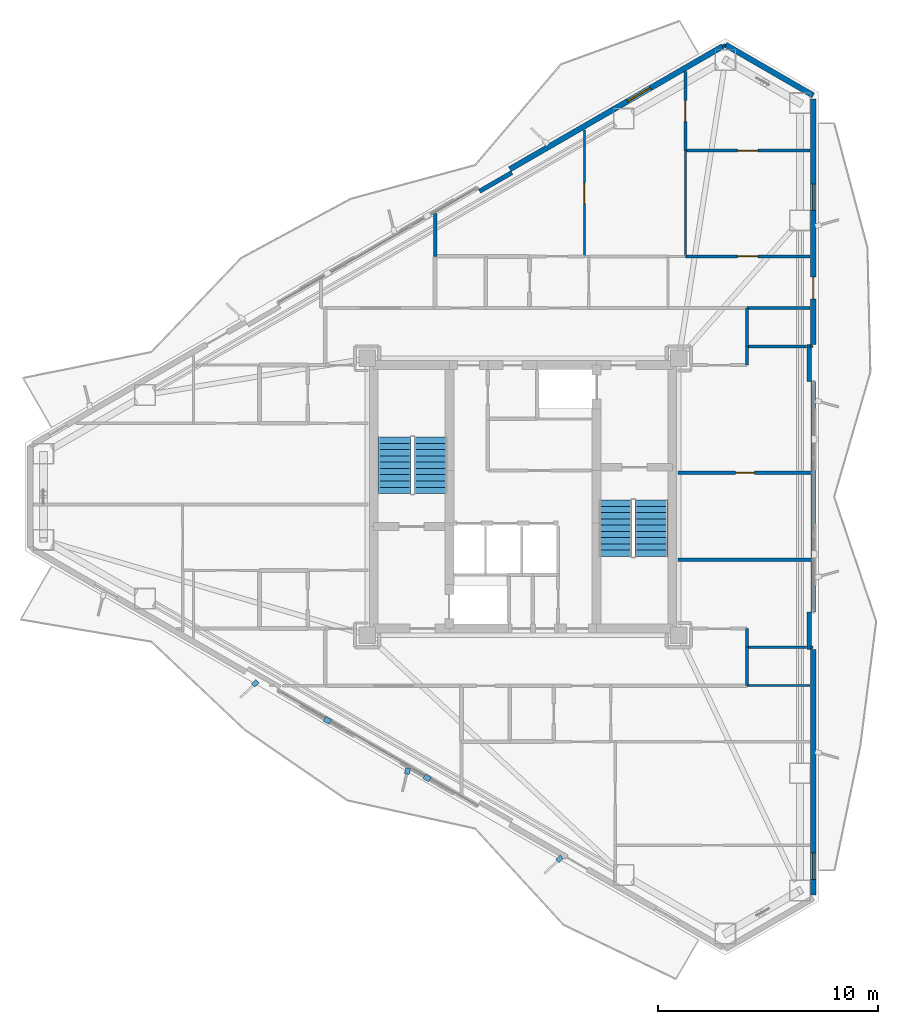
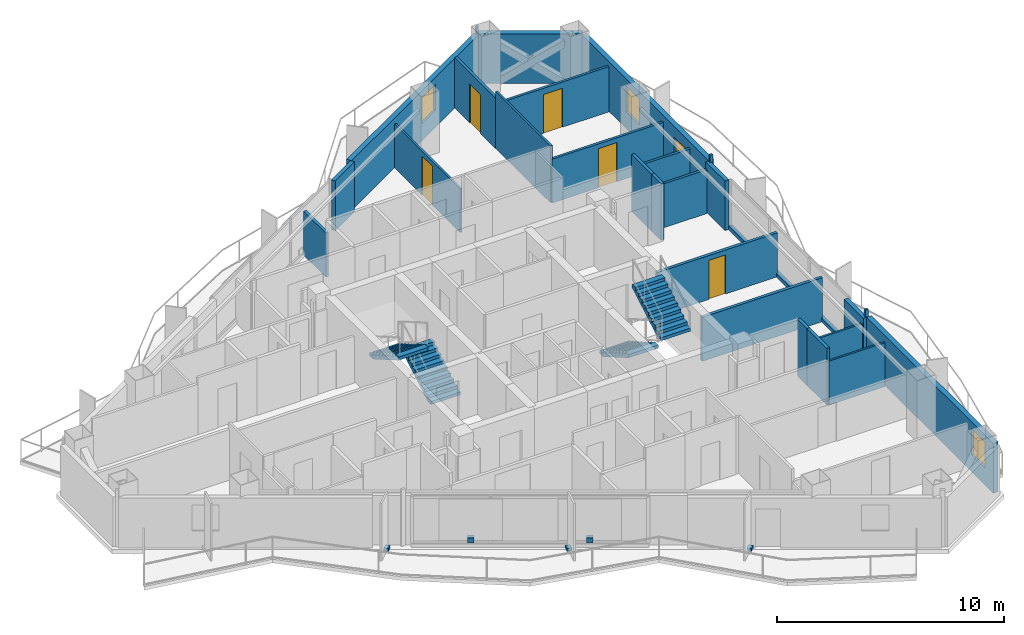
# One storey, part 16 of 19: 27 walls, 6 doors, 5 discrete accessories, 4 stair flights, 3 windows, 9 openings, 2 elements without a shape of their own.
"""IFC4 building model written with IfcOpenShell, lengths in metres."""

from ifc_helpers import new_model, si_unit, direction, frame, frame_2d, origin, origin_2d, place, context, subcontext, project, spatial, polyline, rectangle, outline, extrude, material, layer, layer_set, type_object, element, fill, aggregate, save


model = new_model("IFC4")

# Units and contexts
model_context = context("Model", 3, precision=1e-05, world=origin(), true_north=direction((0.0, 1.0)))
body_context = subcontext(model_context, "Body", "Model", "MODEL_VIEW")
ifc_project = project(units=[si_unit("LENGTHUNIT", "METRE"), si_unit("AREAUNIT", "SQUARE_METRE"), si_unit("VOLUMEUNIT", "CUBIC_METRE"), si_unit("PLANEANGLEUNIT", "RADIAN"), si_unit("MASSUNIT", "GRAM", prefix="KILO")], contexts=[model_context])

# Site, building, storey
site_placement = place(None, origin())
site = spatial("IfcSite", under=ifc_project, at=site_placement, CompositionType="ELEMENT")
building_placement = place(site_placement, origin())
building = spatial("IfcBuilding", under=site, at=building_placement, Name="Mersakhor Tower and Convention Hall", CompositionType="ELEMENT")
storey_placement = place(building_placement, frame((0.0, 0.0, 127.800048828125)))
storey = spatial("IfcBuildingStorey", under=building, at=storey_placement, Name="L35", CompositionType="ELEMENT", Elevation=127.800048828125)

# Wall
ifc_material_1 = material(Name="Precast concrete C40/50", Category="concrete")
ifc_layer_1 = layer(ifc_material_1, 0.25)
ifc_layer_set_1 = layer_set([ifc_layer_1], Name="Precast concrete C40/50")
wall_type_1 = type_object("IfcWallType", Name="WL-EXT-250", PredefinedType="SOLIDWALL", material=ifc_layer_set_1)
wall_1_placement = place(storey_placement, frame((38.220458984375, 47.337646484375, 0.0), z_axis=(0.0, 0.0, 1.0), x_axis=(0.866035021055, -0.499983342029, 0.0)))
element("IfcWall", 1, at=wall_1_placement, inside=storey, type_object=wall_type_1, Name="L35 Chamfer Braced Spandrel Wall C1", PredefinedType="SOLIDWALL", context=body_context, shape_type="SweptSolid", body=[
    extrude(rectangle(XDim=4.617431640625, YDim=0.25, at=frame_2d((2.30859375, 0.0))), origin(), (0.0, 0.0, 1.0), 2.679931640625),
])

# Wall, opening, window
wall_2_placement = place(storey_placement, frame((28.4033203125, 41.669677734375, 0.0), z_axis=(0.0, 0.0, 1.0), x_axis=(0.86602239209, 0.500005216371, 0.0)))
wall_2 = element("IfcWall", 2, at=wall_2_placement, inside=storey, type_object=wall_type_1, Name="L35 Exterior Facade Wall F1-B3", PredefinedType="SOLIDWALL", context=body_context, shape_type="SweptSolid", body=[
    extrude(rectangle(XDim=11.18603515625, YDim=0.25, at=frame_2d((5.593017578125, 0.0))), origin(), (0.0, 0.0, 1.0), 2.679931640625),
])
opening_1_placement = place(wall_2_placement, frame((6.198974609375, 0.0, 0.89990234375)))
opening_1 = element("IfcOpeningElement", 3, at=opening_1_placement, cuts=wall_2, Name="Opening W-01", PredefinedType="OPENING", context=body_context, shape_type="SweptSolid", body=[
    extrude(rectangle(XDim=1.199951171875, YDim=1.39990234375, at=frame_2d((0.60009765625, 0.699951171875))), frame((0.0, 0.135009765625, 0.0), z_axis=(0.0, -1.0, 0.0), x_axis=(1.0, 0.0, 0.0)), (0.0, 0.0, 1.0), 0.27001953125),
])
ifc_material_2 = material(Name="Dark solar low-E glazed aluminium window", Category="aluminium")
window_type = type_object("IfcWindowType", Name="WN-RES-120x150", PartitioningType="SINGLE_PANEL", PredefinedType="WINDOW", material=ifc_material_2)
window_1_placement = place(opening_1_placement, origin())
window_1 = element("IfcWindow", 4, at=window_1_placement, inside=storey, type_object=window_type, Name="L35 Bedroom Facade Window F1-B3-1", OverallHeight=1.39990234375, OverallWidth=1.199951171875, PartitioningType="SINGLE_PANEL", PredefinedType="WINDOW", context=body_context, shape_type="SweptSolid", body=[
    extrude(rectangle(XDim=1.199951171875, YDim=1.39990234375, at=frame_2d((0.60009765625, 0.699951171875))), frame((0.0, 0.030029296875, 0.0), z_axis=(0.0, -1.0, 0.0), x_axis=(1.0, 0.0, 0.0)), (0.0, 0.0, 1.0), 0.06005859375),
])
fill(opening_1, window_1)

# Wall, openings, door, window
wall_3_placement = place(storey_placement, frame((42.21923828125, 44.87890625, 0.0), z_axis=(0.0, 0.0, 1.0), x_axis=(0.0, -1.0, 0.0)))
wall_3 = element("IfcWall", 5, at=wall_3_placement, inside=storey, type_object=wall_type_1, Name="L35 Exterior Facade Wall F2-B1", PredefinedType="SOLIDWALL", context=body_context, shape_type="SweptSolid", body=[
    extrude(rectangle(XDim=11.185791015625, YDim=0.25, at=frame_2d((5.5927734375, 0.0))), origin(), (0.0, 0.0, 1.0), 2.679931640625),
])
opening_2_placement = place(wall_3_placement, frame((8.10888671875, 0.0, 0.0)))
opening_2 = element("IfcOpeningElement", 6, at=opening_2_placement, cuts=wall_3, Name="Opening BD-01", PredefinedType="OPENING", context=body_context, shape_type="SweptSolid", body=[
    extrude(rectangle(XDim=1.0, YDim=2.10009765625, at=frame_2d((0.5, 1.050048828125))), frame((0.0, 0.135009765625, 0.0), z_axis=(0.0, -1.0, 0.0), x_axis=(1.0, 0.0, 0.0)), (0.0, 0.0, 1.0), 0.27001953125),
])
opening_3_placement = place(wall_3_placement, frame((3.886962890625, 0.0, 0.89990234375)))
opening_3 = element("IfcOpeningElement", 7, at=opening_3_placement, cuts=wall_3, Name="Opening W-01", PredefinedType="OPENING", context=body_context, shape_type="SweptSolid", body=[
    extrude(rectangle(XDim=1.199951171875, YDim=1.39990234375, at=frame_2d((0.60009765625, 0.699951171875))), frame((0.0, 0.135009765625, 0.0), z_axis=(0.0, -1.0, 0.0), x_axis=(1.0, 0.0, 0.0)), (0.0, 0.0, 1.0), 0.27001953125),
])
ifc_material_3 = material(Name="Thermally broken dark aluminium and safety glass", Category="aluminium")
door_type_1 = type_object("IfcDoorType", Name="DR-BAL-100x210", OperationType="NOTDEFINED", PredefinedType="DOOR", material=ifc_material_3)
door_1_placement = place(opening_2_placement, origin())
door_1 = element("IfcDoor", 8, at=door_1_placement, inside=storey, type_object=door_type_1, Name="L35 Balcony Terrace Door F2-B1", OperationType="SINGLE_SWING_LEFT", OverallHeight=2.10009765625, OverallWidth=1.0, PredefinedType="DOOR", context=body_context, shape_type="SweptSolid", body=[
    extrude(rectangle(XDim=1.0, YDim=2.10009765625, at=frame_2d((0.5, 1.050048828125))), frame((0.0, 0.02490234375, 0.0), z_axis=(0.0, -1.0, 0.0), x_axis=(1.0, 0.0, 0.0)), (0.0, 0.0, 1.0), 0.050048828125),
])
fill(opening_2, door_1)
window_2_placement = place(opening_3_placement, origin())
window_2 = element("IfcWindow", 9, at=window_2_placement, inside=storey, type_object=window_type, Name="L35 Bedroom Facade Window F2-B1-1", OverallHeight=1.39990234375, OverallWidth=1.199951171875, PartitioningType="SINGLE_PANEL", PredefinedType="WINDOW", context=body_context, shape_type="SweptSolid", body=[
    extrude(rectangle(XDim=1.199951171875, YDim=1.39990234375, at=frame_2d((0.60009765625, 0.699951171875))), frame((0.0, 0.030029296875, 0.0), z_axis=(0.0, -1.0, 0.0), x_axis=(1.0, 0.0, 0.0)), (0.0, 0.0, 1.0), 0.06005859375),
])
fill(opening_3, window_2)

# Wall, opening, window
wall_4_placement = place(storey_placement, frame((42.21923828125, 19.806884765625, 0.0), z_axis=(0.0, 0.0, 1.0), x_axis=(0.0, -1.0, 0.0)))
wall_4 = element("IfcWall", 10, at=wall_4_placement, inside=storey, type_object=wall_type_1, Name="L35 Exterior Facade Wall F2-B3", PredefinedType="SOLIDWALL", context=body_context, shape_type="SweptSolid", body=[
    extrude(rectangle(XDim=11.185791015625, YDim=0.25, at=frame_2d((5.5927734375, 0.0))), origin(), (0.0, 0.0, 1.0), 2.679931640625),
])
opening_4_placement = place(wall_4_placement, frame((9.277099609375, 0.0, 0.89990234375)))
opening_4 = element("IfcOpeningElement", 11, at=opening_4_placement, cuts=wall_4, Name="Opening W-01", PredefinedType="OPENING", context=body_context, shape_type="SweptSolid", body=[
    extrude(rectangle(XDim=1.199951171875, YDim=1.39990234375, at=frame_2d((0.60009765625, 0.699951171875))), frame((0.0, 0.135009765625, 0.0), z_axis=(0.0, -1.0, 0.0), x_axis=(1.0, 0.0, 0.0)), (0.0, 0.0, 1.0), 0.27001953125),
])
window_3_placement = place(opening_4_placement, origin())
window_3 = element("IfcWindow", 12, at=window_3_placement, inside=storey, type_object=window_type, Name="L35 Bedroom Facade Window F2-B3-1", OverallHeight=1.39990234375, OverallWidth=1.199951171875, PartitioningType="SINGLE_PANEL", PredefinedType="WINDOW", context=body_context, shape_type="SweptSolid", body=[
    extrude(rectangle(XDim=1.199951171875, YDim=1.39990234375, at=frame_2d((0.60009765625, 0.699951171875))), frame((0.0, 0.030029296875, 0.0), z_axis=(0.0, -1.0, 0.0), x_axis=(1.0, 0.0, 0.0)), (0.0, 0.0, 1.0), 0.06005859375),
])
fill(opening_4, window_3)

# Walls
ifc_material_4 = material(Name="Precast concrete C40/50", Category="concrete")
ifc_layer_2 = layer(ifc_material_4, 0.199951171875)
ifc_layer_set_2 = layer_set([ifc_layer_2], Name="Precast concrete C40/50")
wall_type_2 = type_object("IfcWallType", Name="WL-PAR-200", PredefinedType="PARAPET", material=ifc_layer_set_2)
wall_5_placement = place(storey_placement, frame((27.02099609375, 40.663818359375, 0.0), z_axis=(0.0, 0.0, 1.0), x_axis=(0.86605165483, 0.499954529098, 0.0)))
element("IfcWall", 13, at=wall_5_placement, inside=storey, type_object=wall_type_2, Name="L35 Column Pier Cladding Wall F1-C2", PredefinedType="PARAPET", context=body_context, shape_type="SweptSolid", body=[
    extrude(rectangle(XDim=1.699951171875, YDim=0.199951171875, at=frame_2d((0.85009765625, 0.0))), origin(), (0.0, 0.0, 1.0), 2.679931640625),
])
wall_6_placement = place(storey_placement, frame((42.21923828125, 31.992919921875, 0.0), z_axis=(0.0, 0.0, 1.0), x_axis=(0.0, -1.0, 0.0)))
element("IfcWall", 14, at=wall_6_placement, inside=storey, type_object=wall_type_2, Name="L35 Curtain Wall Upstand Sill F2-B2", PredefinedType="PARAPET", context=body_context, shape_type="SweptSolid", body=[
    extrude(rectangle(XDim=10.48583984375, YDim=0.199951171875, at=frame_2d((5.242919921875, 0.0))), origin(), (0.0, 0.0, 1.0), 0.199951171875),
])
for number, where, z_axis, x_axis, name in (
    (15, (42.039306640625, 33.693115234375, 0.0), (0.0, 0.0, 1.0), (0.0, -1.0, 0.0), "L35 Column Pier Cladding Wall F2-C1"),
    (16, (42.039306640625, 21.507080078125, 0.0), (0.0, 0.0, 1.0), (0.0, -1.0, 0.0), "L35 Column Pier Cladding Wall F2-C2"),
):
    element("IfcWall", number, at=place(storey_placement, frame(where, z_axis=z_axis, x_axis=x_axis)), inside=storey, type_object=wall_type_2, Name=name, PredefinedType="PARAPET", context=body_context, shape_type="SweptSolid", body=[
        extrude(rectangle(XDim=1.7001953125, YDim=0.199951171875, at=frame_2d((0.85009765625, 0.0))), origin(), (0.0, 0.0, 1.0), 2.679931640625),
    ])
ifc_material_5 = material(Name="Lightweight gypsum partition", Category="other")
ifc_layer_3 = layer(ifc_material_5, 0.10009765625)
ifc_layer_set_3 = layer_set([ifc_layer_3], Name="Lightweight gypsum partition")
wall_type_3 = type_object("IfcWallType", Name="WL-PRT-100", PredefinedType="PARTITIONING", material=ifc_layer_set_3)
wall_7_placement = place(storey_placement, frame((39.199951171875, 18.14990234375, 0.0), z_axis=(0.0, 0.0, 1.0), x_axis=(1.0, 0.0, 0.0)))
element("IfcWall", 17, at=wall_7_placement, inside=storey, type_object=wall_type_3, Name="L35 Interior Partition Wall P-076", PredefinedType="PARTITIONING", context=body_context, shape_type="SweptSolid", body=[
    extrude(rectangle(XDim=2.870361328125, YDim=0.10009765625, at=frame_2d((1.43505859375, 0.0))), origin(), (0.0, 0.0, 1.0), 2.364990234375),
])
wall_8_placement = place(storey_placement, frame((42.07421875, 33.60009765625, 0.0), z_axis=(0.0, 0.0, 1.0), x_axis=(1.0, 0.0, 0.0)))
element("IfcWall", 18, at=wall_8_placement, inside=storey, type_object=wall_type_3, Name="L35 Interior Partition Wall P-102", PredefinedType="PARTITIONING", context=body_context, shape_type="SweptSolid", body=[
    extrude(rectangle(XDim=0.144775390625, YDim=0.10009765625, at=frame_2d((0.072265625, 0.0))), origin(), (0.0, 0.0, 1.0), 3.06005859375),
])
wall_9_placement = place(storey_placement, frame((41.915283203125, 19.89990234375, 0.0), z_axis=(0.0, 0.0, 1.0), x_axis=(-1.0, 0.0, 0.0)))
element("IfcWall", 19, at=wall_9_placement, inside=storey, type_object=wall_type_3, Name="L35 Interior Partition Wall P-108", PredefinedType="PARTITIONING", context=body_context, shape_type="SweptSolid", body=[
    extrude(rectangle(XDim=2.71533203125, YDim=0.10009765625, at=frame_2d((1.357666015625, 0.0))), origin(), (0.0, 0.0, 1.0), 2.364990234375),
])

# Wall, opening, door
wall_10_placement = place(storey_placement, frame((31.800048828125, 43.458740234375, 0.0), z_axis=(0.0, 0.0, 1.0), x_axis=(0.0, -1.0, 0.0)))
wall_10 = element("IfcWall", 20, at=wall_10_placement, inside=storey, type_object=wall_type_3, Name="L35 Interior Partition Wall P-112", PredefinedType="PARTITIONING", context=body_context, shape_type="SweptSolid", body=[
    extrude(rectangle(XDim=5.7587890625, YDim=0.10009765625, at=frame_2d((2.87939453125, 0.0))), origin(), (0.0, 0.0, 1.0), 2.364990234375),
])
opening_5_placement = place(wall_10_placement, frame((2.404296875, 0.0, 0.0)))
opening_5 = element("IfcOpeningElement", 21, at=opening_5_placement, cuts=wall_10, Name="Opening RD-01", PredefinedType="OPENING", context=body_context, shape_type="SweptSolid", body=[
    extrude(rectangle(XDim=0.949951171875, YDim=2.10009765625, at=frame_2d((0.47509765625, 1.050048828125))), frame((0.0, 0.06005859375, 0.0), z_axis=(0.0, -1.0, 0.0), x_axis=(1.0, 0.0, 0.0)), (0.0, 0.0, 1.0), 0.1201171875),
])
ifc_material_6 = material(Name="Solid-core hardwood leaf in painted steel frame", Category="steel")
door_type_2 = type_object("IfcDoorType", Name="DR-INT-RM-095x210", OperationType="NOTDEFINED", PredefinedType="DOOR", material=ifc_material_6)
door_2_placement = place(opening_5_placement, origin())
door_2 = element("IfcDoor", 22, at=door_2_placement, inside=storey, type_object=door_type_2, Name="L35 L35 Flat N1 Living and Dining Room to L35 Flat N1 Bedroom 1 Door", OperationType="SINGLE_SWING_LEFT", OverallHeight=2.10009765625, OverallWidth=0.949951171875, PredefinedType="DOOR", context=body_context, shape_type="SweptSolid", body=[
    extrude(rectangle(XDim=0.949951171875, YDim=2.10009765625, at=frame_2d((0.47509765625, 1.050048828125))), frame((0.0, 0.02490234375, 0.0), z_axis=(0.0, -1.0, 0.0), x_axis=(1.0, 0.0, 0.0)), (0.0, 0.0, 1.0), 0.050048828125),
])
fill(opening_5, door_2)

# Walls
wall_11_placement = place(storey_placement, frame((36.39990234375, 42.52001953125, 0.0), z_axis=(0.0, 0.0, 1.0), x_axis=(0.0, -1.0, 0.0)))
element("IfcWall", 23, at=wall_11_placement, inside=storey, type_object=wall_type_3, Name="L35 Interior Partition Wall P-114", PredefinedType="PARTITIONING", context=body_context, shape_type="SweptSolid", body=[
    extrude(rectangle(XDim=4.820068359375, YDim=0.10009765625, at=frame_2d((2.41015625, 0.0))), origin(), (0.0, 0.0, 1.0), 3.06005859375),
])
wall_12_placement = place(storey_placement, frame((38.090576171875, 47.2626953125, 0.0), z_axis=(0.0, 0.0, 1.0), x_axis=(0.865833797362, 0.500331725305, 0.0)))
element("IfcWall", 24, at=wall_12_placement, inside=storey, type_object=wall_type_3, Name="L35 Interior Partition Wall P-116", PredefinedType="PARTITIONING", context=body_context, shape_type="SweptSolid", body=[
    extrude(rectangle(XDim=0.150390625, YDim=0.10009765625, at=frame_2d((0.0751953125, 0.0))), origin(), (0.0, 0.0, 1.0), 3.06005859375),
])
ifc_material_7 = material(Name="Gypsum board acoustic partition", Category="other")
ifc_layer_4 = layer(ifc_material_7, 0.125)
ifc_layer_set_4 = layer_set([ifc_layer_4], Name="Gypsum board acoustic partition")
wall_type_4 = type_object("IfcWallType", Name="WL-PRT-125", PredefinedType="PARTITIONING", material=ifc_layer_set_4)
wall_13_placement = place(storey_placement, frame((39.199951171875, 33.60009765625, 0.0), z_axis=(0.0, 0.0, 1.0), x_axis=(1.0, 0.0, 0.0)))
element("IfcWall", 25, at=wall_13_placement, inside=storey, type_object=wall_type_4, Name="L35 Interior Partition Wall P-101", PredefinedType="PARTITIONING", context=body_context, shape_type="SweptSolid", body=[
    extrude(rectangle(XDim=2.71533203125, YDim=0.125, at=frame_2d((1.357666015625, 0.0))), origin(), (0.0, 0.0, 1.0), 2.364990234375),
])
wall_14_placement = place(storey_placement, frame((42.218994140625, 19.89990234375, 0.0), z_axis=(0.0, 0.0, 1.0), x_axis=(-1.0, 0.0, 0.0)))
element("IfcWall", 26, at=wall_14_placement, inside=storey, type_object=wall_type_4, Name="L35 Interior Partition Wall P-107", PredefinedType="PARTITIONING", context=body_context, shape_type="SweptSolid", body=[
    extrude(rectangle(XDim=0.144775390625, YDim=0.125, at=frame_2d((0.072265625, 0.0))), origin(), (0.0, 0.0, 1.0), 3.06005859375),
])
wall_15_placement = place(storey_placement, frame((42.0703125, 35.35009765625, 0.0), z_axis=(0.0, 0.0, 1.0), x_axis=(-1.0, 0.0, 0.0)))
element("IfcWall", 27, at=wall_15_placement, inside=storey, type_object=wall_type_4, Name="L35 Interior Partition Wall P-109", PredefinedType="PARTITIONING", context=body_context, shape_type="SweptSolid", body=[
    extrude(rectangle(XDim=2.870361328125, YDim=0.125, at=frame_2d((1.43505859375, 0.0))), origin(), (0.0, 0.0, 1.0), 2.364990234375),
])

# Wall, opening, door
wall_16_placement = place(storey_placement, frame((36.39990234375, 37.699951171875, 0.0), z_axis=(0.0, 0.0, 1.0), x_axis=(1.0, 0.0, 0.0)))
wall_16 = element("IfcWall", 28, at=wall_16_placement, inside=storey, type_object=wall_type_4, Name="L35 Interior Partition Wall P-111", PredefinedType="PARTITIONING", context=body_context, shape_type="SweptSolid", body=[
    extrude(rectangle(XDim=5.67041015625, YDim=0.125, at=frame_2d((2.835205078125, 0.0))), origin(), (0.0, 0.0, 1.0), 2.364990234375),
])
opening_6_placement = place(wall_16_placement, frame((2.360107421875, 0.0, 0.0)))
opening_6 = element("IfcOpeningElement", 29, at=opening_6_placement, cuts=wall_16, Name="Opening RD-01", PredefinedType="OPENING", context=body_context, shape_type="SweptSolid", body=[
    extrude(rectangle(XDim=0.949951171875, YDim=2.10009765625, at=frame_2d((0.47509765625, 1.050048828125))), frame((0.0, 0.072509765625, 0.0), z_axis=(0.0, -1.0, 0.0), x_axis=(1.0, 0.0, 0.0)), (0.0, 0.0, 1.0), 0.14501953125),
])
door_3_placement = place(opening_6_placement, origin())
door_3 = element("IfcDoor", 30, at=door_3_placement, inside=storey, type_object=door_type_2, Name="L35 L35 Flat N1 Study Room to L35 Flat N1 Bedroom 2 Door", OperationType="SINGLE_SWING_RIGHT", OverallHeight=2.10009765625, OverallWidth=0.949951171875, PredefinedType="DOOR", context=body_context, shape_type="SweptSolid", body=[
    extrude(rectangle(XDim=0.949951171875, YDim=2.10009765625, at=frame_2d((0.47509765625, 1.050048828125))), frame((0.0, 0.02490234375, 0.0), z_axis=(0.0, -1.0, 0.0), x_axis=(1.0, 0.0, 0.0)), (0.0, 0.0, 1.0), 0.050048828125),
])
fill(opening_6, door_3)

wall_17_placement = place(storey_placement, frame((36.39990234375, 46.114501953125, 0.0), z_axis=(0.0, 0.0, 1.0), x_axis=(0.0, -1.0, 0.0)))
wall_17 = element("IfcWall", 31, at=wall_17_placement, inside=storey, type_object=wall_type_4, Name="L35 Interior Partition Wall P-113", PredefinedType="PARTITIONING", context=body_context, shape_type="SweptSolid", body=[
    extrude(rectangle(XDim=3.594482421875, YDim=0.125, at=frame_2d((1.79736328125, 0.0))), origin(), (0.0, 0.0, 1.0), 2.724365234375),
])
opening_7_placement = place(wall_17_placement, frame((1.322265625, 0.0, 0.0)))
opening_7 = element("IfcOpeningElement", 32, at=opening_7_placement, cuts=wall_17, Name="Opening RD-01", PredefinedType="OPENING", context=body_context, shape_type="SweptSolid", body=[
    extrude(rectangle(XDim=0.949951171875, YDim=2.10009765625, at=frame_2d((0.47509765625, 1.050048828125))), frame((0.0, 0.072509765625, 0.0), z_axis=(0.0, -1.0, 0.0), x_axis=(1.0, 0.0, 0.0)), (0.0, 0.0, 1.0), 0.14501953125),
])
door_4_placement = place(opening_7_placement, origin())
door_4 = element("IfcDoor", 33, at=door_4_placement, inside=storey, type_object=door_type_2, Name="L35 L35 Flat N1 Bedroom 1 to L35 Flat N1 Study Room Door", OperationType="SINGLE_SWING_RIGHT", OverallHeight=2.10009765625, OverallWidth=0.949951171875, PredefinedType="DOOR", context=body_context, shape_type="SweptSolid", body=[
    extrude(rectangle(XDim=0.949951171875, YDim=2.10009765625, at=frame_2d((0.47509765625, 1.050048828125))), frame((0.0, 0.02490234375, 0.0), z_axis=(0.0, -1.0, 0.0), x_axis=(1.0, 0.0, 0.0)), (0.0, 0.0, 1.0), 0.050048828125),
])
fill(opening_7, door_4)

wall_18_placement = place(storey_placement, frame((36.39990234375, 42.52001953125, 0.0), z_axis=(0.0, 0.0, 1.0), x_axis=(1.0, 0.0, 0.0)))
wall_18 = element("IfcWall", 34, at=wall_18_placement, inside=storey, type_object=wall_type_4, Name="L35 Interior Partition Wall P-115", PredefinedType="PARTITIONING", context=body_context, shape_type="SweptSolid", body=[
    extrude(rectangle(XDim=5.67041015625, YDim=0.125, at=frame_2d((2.835205078125, 0.0))), origin(), (0.0, 0.0, 1.0), 2.432861328125),
])
opening_8_placement = place(wall_18_placement, frame((2.360107421875, 0.0, 0.0)))
opening_8 = element("IfcOpeningElement", 35, at=opening_8_placement, cuts=wall_18, Name="Opening RD-01", PredefinedType="OPENING", context=body_context, shape_type="SweptSolid", body=[
    extrude(rectangle(XDim=0.949951171875, YDim=2.10009765625, at=frame_2d((0.47509765625, 1.050048828125))), frame((0.0, 0.072509765625, 0.0), z_axis=(0.0, -1.0, 0.0), x_axis=(1.0, 0.0, 0.0)), (0.0, 0.0, 1.0), 0.14501953125),
])
door_5_placement = place(opening_8_placement, origin())
door_5 = element("IfcDoor", 36, at=door_5_placement, inside=storey, type_object=door_type_2, Name="L35 L35 Flat N1 Bedroom 2 to L35 Flat N1 Study Room Door", OperationType="SINGLE_SWING_LEFT", OverallHeight=2.10009765625, OverallWidth=0.949951171875, PredefinedType="DOOR", context=body_context, shape_type="SweptSolid", body=[
    extrude(rectangle(XDim=0.949951171875, YDim=2.10009765625, at=frame_2d((0.47509765625, 1.050048828125))), frame((0.0, 0.02490234375, 0.0), z_axis=(0.0, -1.0, 0.0), x_axis=(1.0, 0.0, 0.0)), (0.0, 0.0, 1.0), 0.050048828125),
])
fill(opening_8, door_5)

# Walls
ifc_material_8 = material(Name="Fire-rated gypsum board stud partition", Category="other")
ifc_layer_5 = layer(ifc_material_8, 0.14990234375)
ifc_layer_set_5 = layer_set([ifc_layer_5], Name="Fire-rated gypsum board stud partition")
wall_type_5 = type_object("IfcWallType", Name="WL-PRT-150", PredefinedType="PARTITIONING", material=ifc_layer_set_5)
wall_19_placement = place(storey_placement, frame((39.199951171875, 35.35009765625, 0.0), z_axis=(0.0, 0.0, 1.0), x_axis=(0.0, -1.0, 0.0)))
element("IfcWall", 37, at=wall_19_placement, inside=storey, type_object=wall_type_5, Name="L35 Interior Partition Wall P-028", PredefinedType="PARTITIONING", context=body_context, shape_type="SweptSolid", body=[
    extrude(rectangle(XDim=1.75, YDim=0.14990234375, at=frame_2d((0.875, 0.0))), origin(), (0.0, 0.0, 1.0), 3.06005859375),
])
for number, where, z_axis, x_axis, name in (
    (38, (39.199951171875, 33.60009765625, 0.0), (0.0, 0.0, 1.0), (0.0, -1.0, 0.0), "L35 Interior Partition Wall P-029"),
    (39, (39.199951171875, 20.75, 0.0), (0.0, 0.0, 1.0), (0.0, -1.0, 0.0), "L35 Interior Partition Wall P-038"),
):
    element("IfcWall", number, at=place(storey_placement, frame(where, z_axis=z_axis, x_axis=x_axis)), inside=storey, type_object=wall_type_5, Name=name, PredefinedType="PARTITIONING", context=body_context, shape_type="SweptSolid", body=[
        extrude(rectangle(XDim=0.85009765625, YDim=0.14990234375, at=frame_2d((0.425048828125, 0.0))), origin(), (0.0, 0.0, 1.0), 3.06005859375),
    ])
wall_20_placement = place(storey_placement, frame((39.199951171875, 19.89990234375, 0.0), z_axis=(0.0, 0.0, 1.0), x_axis=(0.0, -1.0, 0.0)))
element("IfcWall", 40, at=wall_20_placement, inside=storey, type_object=wall_type_5, Name="L35 Interior Partition Wall P-039", PredefinedType="PARTITIONING", context=body_context, shape_type="SweptSolid", body=[
    extrude(rectangle(XDim=1.75, YDim=0.14990234375, at=frame_2d((0.875, 0.0))), origin(), (0.0, 0.0, 1.0), 3.06005859375),
])
wall_21_placement = place(storey_placement, frame((25.0, 39.660888671875, 0.0), z_axis=(0.0, 0.0, 1.0), x_axis=(0.0, -1.0, 0.0)))
element("IfcWall", 41, at=wall_21_placement, inside=storey, type_object=wall_type_5, Name="L35 Interior Partition Wall P-093", PredefinedType="PARTITIONING", context=body_context, shape_type="SweptSolid", body=[
    extrude(rectangle(XDim=1.9609375, YDim=0.14990234375, at=frame_2d((0.98046875, 0.0))), origin(), (0.0, 0.0, 1.0), 2.364990234375),
])

# Wall, opening, door
wall_22_placement = place(storey_placement, frame((42.18115234375, 27.85009765625, 0.0), z_axis=(0.0, 0.0, 1.0), x_axis=(-1.0, 0.0, 0.0)))
wall_22 = element("IfcWall", 42, at=wall_22_placement, inside=storey, type_object=wall_type_5, Name="L35 Interior Partition Wall P-103", PredefinedType="PARTITIONING", context=body_context, shape_type="SweptSolid", body=[
    extrude(rectangle(XDim=6.131103515625, YDim=0.14990234375, at=frame_2d((3.0654296875, 0.0))), origin(), (0.0, 0.0, 1.0), 2.364990234375),
])
opening_9_placement = place(wall_22_placement, frame((2.640625, 0.0, 0.0)))
opening_9 = element("IfcOpeningElement", 43, at=opening_9_placement, cuts=wall_22, Name="Opening SVD-01", PredefinedType="OPENING", context=body_context, shape_type="SweptSolid", body=[
    extrude(rectangle(XDim=0.85009765625, YDim=2.10009765625, at=frame_2d((0.425048828125, 1.050048828125))), frame((0.0, 0.0849609375, 0.0), z_axis=(0.0, -1.0, 0.0), x_axis=(1.0, 0.0, 0.0)), (0.0, 0.0, 1.0), 0.169921875),
])
ifc_material_9 = material(Name="Fire-rated hardwood leaf and painted steel frame", Category="steel")
door_type_3 = type_object("IfcDoorType", Name="DR-INT-SVC-085x210", OperationType="NOTDEFINED", PredefinedType="DOOR", material=ifc_material_9)
door_6_placement = place(opening_9_placement, origin())
door_6 = element("IfcDoor", 44, at=door_6_placement, inside=storey, type_object=door_type_3, Name="L35 L35 East Wing Quiet Focus Room to L35 East Wing Linen Store Room Door", OperationType="SINGLE_SWING_LEFT", OverallHeight=2.10009765625, OverallWidth=0.85009765625, PredefinedType="DOOR", context=body_context, shape_type="SweptSolid", body=[
    extrude(rectangle(XDim=0.85009765625, YDim=2.10009765625, at=frame_2d((0.425048828125, 1.050048828125))), frame((0.0, 0.02490234375, 0.0), z_axis=(0.0, -1.0, 0.0), x_axis=(1.0, 0.0, 0.0)), (0.0, 0.0, 1.0), 0.050048828125),
])
fill(opening_9, door_6)

# Wall
wall_23_placement = place(storey_placement, frame((36.050048828125, 23.8798828125, 0.0), z_axis=(0.0, 0.0, 1.0), x_axis=(1.0, 0.0, 0.0)))
element("IfcWall", 45, at=wall_23_placement, inside=storey, type_object=wall_type_5, Name="L35 Interior Partition Wall P-106", PredefinedType="PARTITIONING", context=body_context, shape_type="SweptSolid", body=[
    extrude(rectangle(XDim=6.131103515625, YDim=0.14990234375, at=frame_2d((3.0654296875, 0.0))), origin(), (0.0, 0.0, 1.0), 2.364990234375),
])

# Stair, stair flights
ifc_material_10 = material(Name="Concrete C45/55", Category="concrete")
stair_type = type_object("IfcStairType", Name="ST-TWR-20R", PredefinedType="HALF_TURN_STAIR", material=ifc_material_10)
stair_1_placement = place(storey_placement, origin())
stair_1 = element("IfcStair", 46, at=stair_1_placement, inside=storey, type_object=stair_type, Name="L35 Tower Protected Exit Stair ST-1", PredefinedType="HALF_TURN_STAIR")
ifc_material_11 = material(Name="Concrete C45/55", Category="concrete")
stair_flight_type = type_object("IfcStairFlightType", Name="SFL-TWR-20R", PredefinedType="STRAIGHT", material=ifc_material_11)
stair_flight_1_placement = place(storey_placement, frame((24.800048828125, 26.89990234375, 0.0), z_axis=(0.0, 0.0, 1.0), x_axis=(0.0, 1.0, 0.0)))
stair_flight_1 = element("IfcStairFlight", 47, at=stair_flight_1_placement, type_object=stair_flight_type, Name="ST-1 flight 1", NumberOfRisers=10, NumberOfTreads=9, PredefinedType="STRAIGHT", RiserHeight=0.165, TreadLength=0.285, context=body_context, shape_type="SweptSolid", body=[
    extrude(outline(polyline([(0.0, 0.0), (0.0, 0.1650390625), (0.284912109375, 0.1650390625), (0.284912109375, 0.330078125), (0.570068359375, 0.330078125), (0.570068359375, 0.4951171875), (0.85498046875, 0.4951171875), (0.85498046875, 0.659912109375), (1.139892578125, 0.659912109375), (1.139892578125, 0.824951171875), (1.425048828125, 0.824951171875), (1.425048828125, 0.989990234375), (1.7099609375, 0.989990234375), (1.7099609375, 1.155029296875), (1.9951171875, 1.155029296875), (1.9951171875, 1.320068359375), (2.280029296875, 1.320068359375), (2.280029296875, 1.485107421875), (2.56494140625, 1.485107421875), (2.56494140625, 1.64990234375), (2.56494140625, 1.311767578125), (0.299072265625, 0.0), (0.0, 0.0)])), frame((0.0, 0.75, 0.0), z_axis=(0.0, -1.0, 0.0), x_axis=(1.0, 0.0, 0.0)), (0.0, 0.0, 1.0), 1.5),
])
stair_flight_2_placement = place(storey_placement, frame((23.14990234375, 29.465087890625, 1.64990234375), z_axis=(0.0, 0.0, 1.0), x_axis=(0.0, -1.0, 0.0)))
stair_flight_2 = element("IfcStairFlight", 48, at=stair_flight_2_placement, type_object=stair_flight_type, Name="ST-1 flight 2", NumberOfRisers=10, NumberOfTreads=9, PredefinedType="STRAIGHT", RiserHeight=0.165, TreadLength=0.285, context=body_context, shape_type="SweptSolid", body=[
    extrude(outline(polyline([(0.0, 0.0), (0.0, 0.1650390625), (0.284912109375, 0.1650390625), (0.284912109375, 0.330078125), (0.570068359375, 0.330078125), (0.570068359375, 0.4951171875), (0.85498046875, 0.4951171875), (0.85498046875, 0.659912109375), (1.139892578125, 0.659912109375), (1.139892578125, 0.824951171875), (1.425048828125, 0.824951171875), (1.425048828125, 0.989990234375), (1.7099609375, 0.989990234375), (1.7099609375, 1.155029296875), (1.9951171875, 1.155029296875), (1.9951171875, 1.320068359375), (2.280029296875, 1.320068359375), (2.280029296875, 1.485107421875), (2.56494140625, 1.485107421875), (2.56494140625, 1.64990234375), (2.56494140625, 1.311767578125), (0.299072265625, 0.0), (0.0, 0.0)])), frame((0.0, 0.75, 0.0), z_axis=(0.0, -1.0, 0.0), x_axis=(1.0, 0.0, 0.0)), (0.0, 0.0, 1.0), 1.5),
])
aggregate(stair_1, [stair_flight_1, stair_flight_2])

stair_2_placement = place(storey_placement, origin())
stair_2 = element("IfcStair", 49, at=stair_2_placement, inside=storey, type_object=stair_type, Name="L35 Tower Protected Exit Stair ST-2", PredefinedType="HALF_TURN_STAIR")
stair_flight_3_placement = place(storey_placement, frame((33.199951171875, 26.60009765625, 0.0), z_axis=(0.0, 0.0, 1.0), x_axis=(0.0, -1.0, 0.0)))
stair_flight_3 = element("IfcStairFlight", 50, at=stair_flight_3_placement, type_object=stair_flight_type, Name="ST-2 flight 1", NumberOfRisers=10, NumberOfTreads=9, PredefinedType="STRAIGHT", RiserHeight=0.165, TreadLength=0.285, context=body_context, shape_type="SweptSolid", body=[
    extrude(outline(polyline([(0.0, 0.0), (0.0, 0.1650390625), (0.284912109375, 0.1650390625), (0.284912109375, 0.330078125), (0.570068359375, 0.330078125), (0.570068359375, 0.4951171875), (0.85498046875, 0.4951171875), (0.85498046875, 0.659912109375), (1.139892578125, 0.659912109375), (1.139892578125, 0.824951171875), (1.425048828125, 0.824951171875), (1.425048828125, 0.989990234375), (1.7099609375, 0.989990234375), (1.7099609375, 1.155029296875), (1.9951171875, 1.155029296875), (1.9951171875, 1.320068359375), (2.280029296875, 1.320068359375), (2.280029296875, 1.485107421875), (2.56494140625, 1.485107421875), (2.56494140625, 1.64990234375), (2.56494140625, 1.311767578125), (0.299072265625, 0.0), (0.0, 0.0)])), frame((0.0, 0.75, 0.0), z_axis=(0.0, -1.0, 0.0), x_axis=(1.0, 0.0, 0.0)), (0.0, 0.0, 1.0), 1.5),
])
stair_flight_4_placement = place(storey_placement, frame((34.85009765625, 24.034912109375, 1.64990234375), z_axis=(0.0, 0.0, 1.0), x_axis=(0.0, 1.0, 0.0)))
stair_flight_4 = element("IfcStairFlight", 51, at=stair_flight_4_placement, type_object=stair_flight_type, Name="ST-2 flight 2", NumberOfRisers=10, NumberOfTreads=9, PredefinedType="STRAIGHT", RiserHeight=0.165, TreadLength=0.285, context=body_context, shape_type="SweptSolid", body=[
    extrude(outline(polyline([(0.0, 0.0), (0.0, 0.1650390625), (0.284912109375, 0.1650390625), (0.284912109375, 0.330078125), (0.570068359375, 0.330078125), (0.570068359375, 0.4951171875), (0.85498046875, 0.4951171875), (0.85498046875, 0.659912109375), (1.139892578125, 0.659912109375), (1.139892578125, 0.824951171875), (1.425048828125, 0.824951171875), (1.425048828125, 0.989990234375), (1.7099609375, 0.989990234375), (1.7099609375, 1.155029296875), (1.9951171875, 1.155029296875), (1.9951171875, 1.320068359375), (2.280029296875, 1.320068359375), (2.280029296875, 1.485107421875), (2.56494140625, 1.485107421875), (2.56494140625, 1.64990234375), (2.56494140625, 1.311767578125), (0.299072265625, 0.0), (0.0, 0.0)])), frame((0.0, 0.75, 0.0), z_axis=(0.0, -1.0, 0.0), x_axis=(1.0, 0.0, 0.0)), (0.0, 0.0, 1.0), 1.5),
])
aggregate(stair_2, [stair_flight_3, stair_flight_4])

# Discrete accessories
ifc_material_12 = material(Name="Galvanised steel bracket", Category="steel")
ifc_layer_6 = layer(ifc_material_12, 0.02001953125)
ifc_layer_set_6 = layer_set([ifc_layer_6], Name="Galvanised steel bracket")
discrete_accessory_type = type_object("IfcDiscreteAccessoryType", Name="ACC-BRK-STL", PredefinedType="BRACKET", material=ifc_layer_set_6)
for number, where, z_axis, x_axis, name in (
    (52, (24.6357421875, 13.94775390625, 0.2900390625), (0.0, 0.0, 1.0), (-0.866025403784, 0.5, 0.0), "L35 Solar Screen Outrigger Bracket BRK-3-1"),
    (53, (20.09521484375, 16.5693359375, 0.2900390625), (0.0, 0.0, 1.0), (-0.866025403784, 0.5, 0.0), "L35 Solar Screen Outrigger Bracket BRK-3-2"),
):
    element("IfcDiscreteAccessory", number, at=place(storey_placement, frame(where, z_axis=z_axis, x_axis=x_axis)), inside=storey, type_object=discrete_accessory_type, Name=name, PredefinedType="BRACKET", context=body_context, shape_type="SweptSolid", body=[
        extrude(rectangle(XDim=0.300048828125, YDim=0.239990234375, at=origin_2d()), origin(), (0.0, 0.0, 1.0), 0.260009765625),
    ])
for number, where, z_axis, x_axis, name in (
    (54, (30.667236328125, 10.2578125, -0.02001953125), (0.0, 0.0, 1.0), (-0.719339800339, -0.694658370459, 0.0), "L35 Facade Fin Base Cleat Bracket FBRK-3-1"),
    (55, (23.739013671875, 14.2578125, -0.02001953125), (0.0, 0.0, 1.0), (-0.2419218956, -0.970295726276, 0.0), "L35 Facade Fin Base Cleat Bracket FBRK-3-2"),
    (56, (16.810791015625, 18.2578125, -0.02001953125), (0.0, 0.0, 1.0), (-0.719339800339, -0.694658370459, 0.0), "L35 Facade Fin Base Cleat Bracket FBRK-3-3"),
):
    element("IfcDiscreteAccessory", number, at=place(storey_placement, frame(where, z_axis=z_axis, x_axis=x_axis)), inside=storey, type_object=discrete_accessory_type, Name=name, PredefinedType="BRACKET", context=body_context, shape_type="SweptSolid", body=[
        extrude(rectangle(XDim=0.280029296875, YDim=0.219970703125, at=origin_2d()), origin(), (0.0, 0.0, 1.0), 0.159912109375),
    ])

save(model, "model.ifc")
